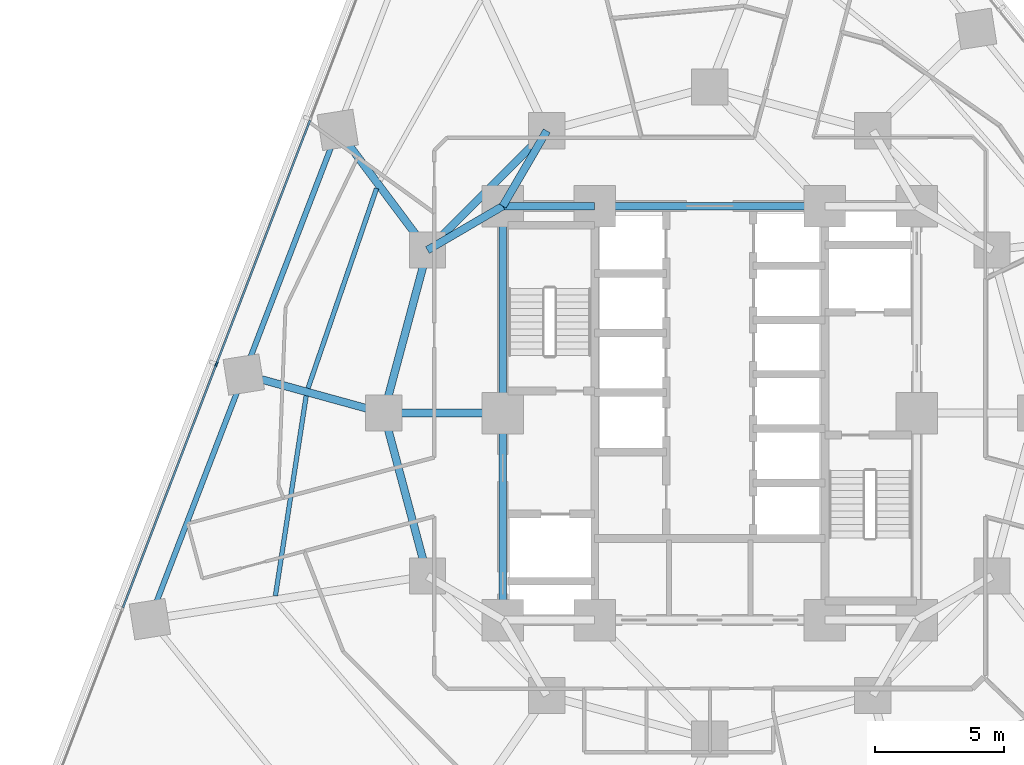
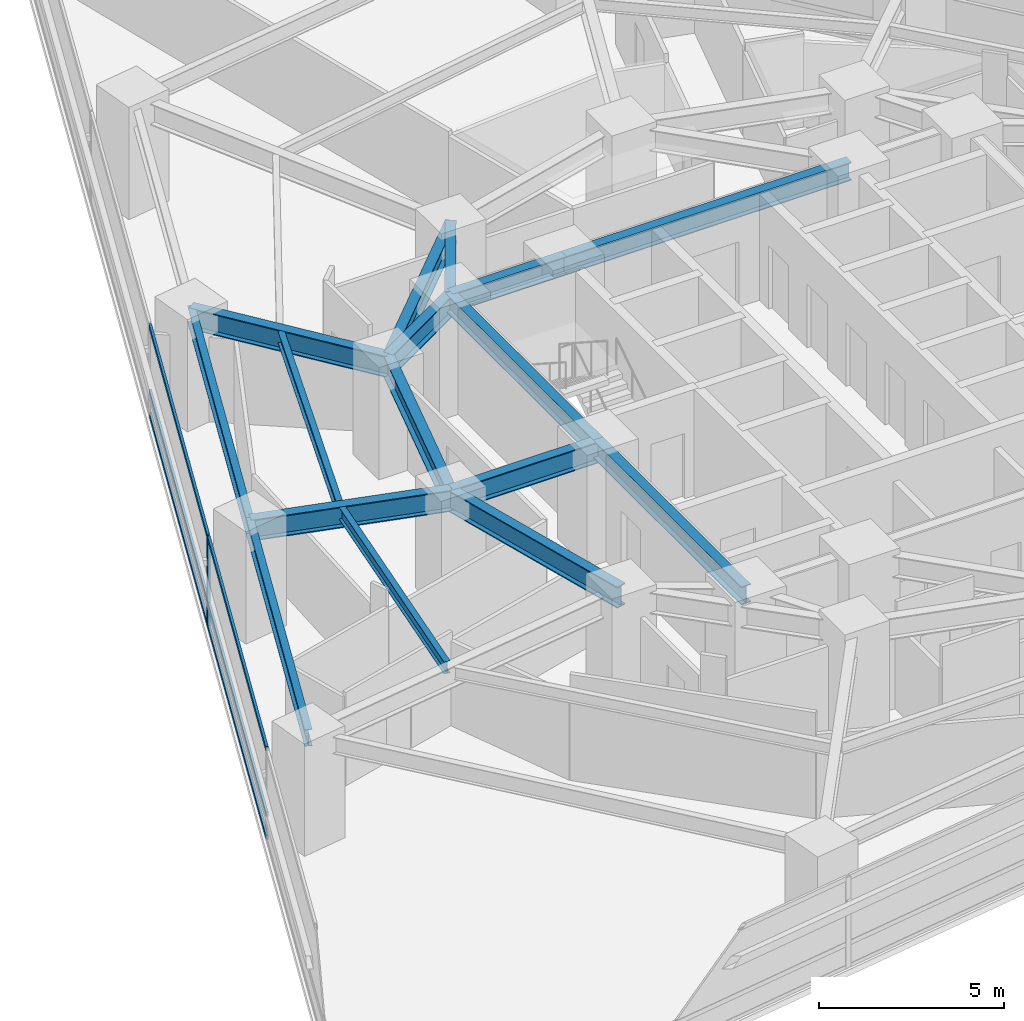
# One storey, part 3 of 14: 16 beams, 7 members, 1 element without a shape of its own.
"""IFC4 building model written with IfcOpenShell, lengths in metres."""

from ifc_helpers import new_model, si_unit, direction, frame, origin, origin_2d, place, context, subcontext, project, spatial, rectangle, i_section, extrude, material, layer, layer_set, material_profile, profile_set, type_object, element, aggregate, save


model = new_model("IFC4")

# Units and contexts
model_context = context("Model", 3, precision=1e-05, world=origin(), true_north=direction((0.0, 1.0)))
body_context = subcontext(model_context, "Body", "Model", "MODEL_VIEW")
ifc_project = project(units=[si_unit("LENGTHUNIT", "METRE"), si_unit("AREAUNIT", "SQUARE_METRE"), si_unit("VOLUMEUNIT", "CUBIC_METRE"), si_unit("PLANEANGLEUNIT", "RADIAN"), si_unit("MASSUNIT", "GRAM", prefix="KILO")], contexts=[model_context])

# Site, building, storey
site_placement = place(None, origin())
site = spatial("IfcSite", under=ifc_project, at=site_placement, CompositionType="ELEMENT")
building_placement = place(site_placement, origin())
building = spatial("IfcBuilding", under=site, at=building_placement, Name="Terralouvre Media Tower", CompositionType="ELEMENT")
storey_placement = place(building_placement, frame((0.0, 0.0, 70.39990234375)))
storey = spatial("IfcBuildingStorey", under=building, at=storey_placement, Name="L17", CompositionType="ELEMENT", Elevation=70.39990234375)

# Beams
ifc_material_1 = material(Name="Structural steel S355J2", Category="steel")
ifc_material_profile_1 = material_profile(ifc_material_1, i_section(OverallWidth=0.179931640625, OverallDepth=0.39990234375, WebThickness=0.008544921875, FlangeThickness=0.013427734375, at=origin_2d()), Name="IPE 400")
ifc_profile_set_1 = profile_set([ifc_material_profile_1], Name="Structural steel S355J2")
beam_type_1 = type_object("IfcBeamType", Name="Composite Floor Joist J-IPE400 (IPE 400)", PredefinedType="JOIST", material=ifc_profile_set_1)
beam_1_placement = place(storey_placement, frame((-12.87841796875, 8.684814453125, 3.300048828125), z_axis=(-0.324414525055, -0.945915015175, 0.0), x_axis=(0.945915015175, -0.324414525055, 0.0)))
element("IfcBeam", 1, at=beam_1_placement, inside=storey, type_object=beam_type_1, Name="L17 Framing Beam JT-L17-11", PredefinedType="JOIST", context=body_context, shape_type="SweptSolid", body=[
    extrude(i_section(OverallWidth=0.179931640625, OverallDepth=0.39990234375, WebThickness=0.008544921875, FlangeThickness=0.013427734375, at=origin_2d()), origin(), (0.0, 0.0, 1.0), 8.165283203125),
])
beam_2_placement = place(storey_placement, frame((-15.598876953125, 0.6708984375, 3.300048828125), z_axis=(-0.152106420826, -0.988364121538, 0.0), x_axis=(0.988364121538, -0.152106420826, 0.0)))
element("IfcBeam", 2, at=beam_2_placement, inside=storey, type_object=beam_type_1, Name="L17 Framing Beam JT-L17-12", PredefinedType="JOIST", context=body_context, shape_type="SweptSolid", body=[
    extrude(i_section(OverallWidth=0.179931640625, OverallDepth=0.39990234375, WebThickness=0.008544921875, FlangeThickness=0.013427734375, at=origin_2d()), origin(), (0.0, 0.0, 1.0), 7.82470703125),
])

# Curtain wall, members
ifc_material_2 = material(Name="Low-iron laminated double glazing with solar-control coating", Category="glass")
ifc_layer = layer(ifc_material_2, 0.1650390625, Name="Lower Media Tower Unitised Curtain Wall CW-02")
ifc_layer_set = layer_set([ifc_layer], Name="Low-iron laminated double glazing with solar-control coating")
curtain_wall_type = type_object("IfcCurtainWallType", Name="Lower Media Tower Unitised Curtain Wall CW-02", PredefinedType="NOTDEFINED", material=ifc_layer_set)
curtain_wall_placement = place(storey_placement, origin())
curtain_wall = element("IfcCurtainWall", 3, at=curtain_wall_placement, inside=storey, type_object=curtain_wall_type, Name="L17 Facade Curtain Wall F2", PredefinedType="NOTDEFINED")
ifc_material_3 = material(Name="Anodised extruded aluminium 6063-T6", Category="aluminium")
ifc_material_profile_2 = material_profile(ifc_material_3, rectangle(XDim=0.074951171875, YDim=0.14990234375, at=origin_2d()), Name="ALU 75x150")
ifc_profile_set_2 = profile_set([ifc_material_profile_2], Name="Anodised extruded aluminium 6063-T6")
member_type_1 = type_object("IfcMemberType", Name="Curtain-Wall Horizontal Transom TR-150", PredefinedType="USERDEFINED", material=ifc_profile_set_2)
member_1_placement = place(storey_placement, frame((-15.449951171875, 11.314697265625, 0.03759765625), z_axis=(-0.358357340084, -0.933584499019, 0.0), x_axis=(0.933584499019, -0.358357340084, 0.0)))
member_1 = element("IfcMember", 4, at=member_1_placement, type_object=member_type_1, Name="CW-02 transom 3.1", ObjectType="TRANSOM", PredefinedType="USERDEFINED", context=body_context, shape_type="SweptSolid", body=[
    extrude(rectangle(XDim=0.074951171875, YDim=0.14990234375, at=origin_2d()), origin(), (0.0, 0.0, 1.0), 10.052978515625),
])
member_2_placement = place(storey_placement, frame((-15.449951171875, 11.314697265625, 0.800048828125), z_axis=(-0.358357340084, -0.933584499019, 0.0), x_axis=(0.933584499019, -0.358357340084, 0.0)))
member_2 = element("IfcMember", 5, at=member_2_placement, type_object=member_type_1, Name="CW-02 transom 3.2", ObjectType="TRANSOM", PredefinedType="USERDEFINED", context=body_context, shape_type="SweptSolid", body=[
    extrude(rectangle(XDim=0.074951171875, YDim=0.14990234375, at=origin_2d()), origin(), (0.0, 0.0, 1.0), 10.052978515625),
])
member_3_placement = place(storey_placement, frame((-15.449951171875, 11.314697265625, 2.962646484375), z_axis=(-0.358357340084, -0.933584499019, 0.0), x_axis=(0.933584499019, -0.358357340084, 0.0)))
member_3 = element("IfcMember", 6, at=member_3_placement, type_object=member_type_1, Name="CW-02 transom 3.3", ObjectType="TRANSOM", PredefinedType="USERDEFINED", context=body_context, shape_type="SweptSolid", body=[
    extrude(rectangle(XDim=0.074951171875, YDim=0.14990234375, at=origin_2d()), origin(), (0.0, 0.0, 1.0), 10.052978515625),
])
member_4_placement = place(storey_placement, frame((-19.079345703125, 1.859375, 0.03759765625), z_axis=(-0.358378506594, -0.933576373957, 0.0), x_axis=(0.933576373957, -0.358378506594, 0.0)))
member_4 = element("IfcMember", 7, at=member_4_placement, type_object=member_type_1, Name="CW-02 transom 4.1", ObjectType="TRANSOM", PredefinedType="USERDEFINED", context=body_context, shape_type="SweptSolid", body=[
    extrude(rectangle(XDim=0.074951171875, YDim=0.14990234375, at=origin_2d()), origin(), (0.0, 0.0, 1.0), 10.052978515625),
])
member_5_placement = place(storey_placement, frame((-19.079345703125, 1.859375, 0.800048828125), z_axis=(-0.358378506594, -0.933576373957, 0.0), x_axis=(0.933576373957, -0.358378506594, 0.0)))
member_5 = element("IfcMember", 8, at=member_5_placement, type_object=member_type_1, Name="CW-02 transom 4.2", ObjectType="TRANSOM", PredefinedType="USERDEFINED", context=body_context, shape_type="SweptSolid", body=[
    extrude(rectangle(XDim=0.074951171875, YDim=0.14990234375, at=origin_2d()), origin(), (0.0, 0.0, 1.0), 10.052978515625),
])
member_6_placement = place(storey_placement, frame((-19.079345703125, 1.859375, 2.962646484375), z_axis=(-0.358378506594, -0.933576373957, 0.0), x_axis=(0.933576373957, -0.358378506594, 0.0)))
member_6 = element("IfcMember", 9, at=member_6_placement, type_object=member_type_1, Name="CW-02 transom 4.3", ObjectType="TRANSOM", PredefinedType="USERDEFINED", context=body_context, shape_type="SweptSolid", body=[
    extrude(rectangle(XDim=0.074951171875, YDim=0.14990234375, at=origin_2d()), origin(), (0.0, 0.0, 1.0), 10.052978515625),
])
ifc_material_4 = material(Name="Anodised extruded aluminium 6063-T6", Category="aluminium")
ifc_material_profile_3 = material_profile(ifc_material_4, rectangle(XDim=0.074951171875, YDim=0.179931640625, at=origin_2d()), Name="ALU 75x180")
ifc_profile_set_3 = profile_set([ifc_material_profile_3], Name="Anodised extruded aluminium 6063-T6")
member_type_2 = type_object("IfcMemberType", Name="Curtain-Wall Vertical Mullion ML-180", PredefinedType="MULLION", material=ifc_profile_set_3)
member_7_placement = place(storey_placement, frame((-19.06591796875, 1.89453125, 0.0), z_axis=(0.0, 0.0, 1.0), x_axis=(0.933580438988, -0.358367917006, 0.0)))
member_7 = element("IfcMember", 10, at=member_7_placement, type_object=member_type_2, Name="CW-02 mullion 4", PredefinedType="MULLION", context=body_context, shape_type="SweptSolid", body=[
    extrude(rectangle(XDim=0.074951171875, YDim=0.179931640625, at=origin_2d()), origin(), (0.0, 0.0, 1.0), 3.0),
])
aggregate(curtain_wall, [member_7, member_1, member_2, member_3, member_4, member_5, member_6])

# Beams
ifc_material_5 = material(Name="Structural steel S355J2", Category="steel")
ifc_material_profile_4 = material_profile(ifc_material_5, i_section(OverallWidth=0.2099609375, OverallDepth=0.550048828125, WebThickness=0.010986328125, FlangeThickness=0.01708984375, at=origin_2d()), Name="IPE 550")
ifc_profile_set_4 = profile_set([ifc_material_profile_4], Name="Structural steel S355J2")
beam_type_2 = type_object("IfcBeamType", Name="Perimeter Spandrel Beam SPB-550 (IPE 550)", PredefinedType="SPANDREL", material=ifc_profile_set_4)
for number, where, z_axis, x_axis, name in (
    (11, (-14.38134765625, 10.94482421875, 3.22509765625), (-0.358374878229, -0.933577766795, 0.0), (0.933577766795, -0.358374878229, 0.0), "L17 Framing Beam BM-L17-PR11"),
    (12, (-18.010986328125, 1.489501953125, 3.22509765625), (-0.358374878229, -0.933577766795, 0.0), (0.933577766795, -0.358374878229, 0.0), "L17 Framing Beam BM-L17-PR12"),
):
    element("IfcBeam", number, at=place(storey_placement, frame(where, z_axis=z_axis, x_axis=x_axis)), inside=storey, type_object=beam_type_2, Name=name, PredefinedType="SPANDREL", context=body_context, shape_type="SweptSolid", body=[
        extrude(i_section(OverallWidth=0.2099609375, OverallDepth=0.550048828125, WebThickness=0.010986328125, FlangeThickness=0.01708984375, at=origin_2d()), origin(), (0.0, 0.0, 1.0), 10.1279296875),
    ])
ifc_material_6 = material(Name="Structural steel S460M", Category="steel")
ifc_material_profile_5 = material_profile(ifc_material_6, i_section(OverallWidth=0.300048828125, OverallDepth=0.60009765625, WebThickness=0.015380859375, FlangeThickness=0.030029296875, at=origin_2d()), Name="HEB 600")
ifc_profile_set_5 = profile_set([ifc_material_profile_5], Name="Structural steel S460M")
beam_type_3 = type_object("IfcBeamType", Name="Primary Floor Girder B-HEB600 (HEB 600)", PredefinedType="BEAM", material=ifc_profile_set_5)
beam_3_placement = place(storey_placement, frame((4.449951171875, 8.0, 3.2001953125), z_axis=(-1.0, 0.0, 0.0), x_axis=(0.0, -1.0, 0.0)))
element("IfcBeam", 13, at=beam_3_placement, inside=storey, type_object=beam_type_3, Name="L17 Framing Beam BM-L17-CPR07", PredefinedType="BEAM", context=body_context, shape_type="SweptSolid", body=[
    extrude(i_section(OverallWidth=0.300048828125, OverallDepth=0.60009765625, WebThickness=0.015380859375, FlangeThickness=0.030029296875, at=origin_2d()), origin(), (0.0, 0.0, 1.0), 8.89990234375),
])
beam_4_placement = place(storey_placement, frame((-4.449951171875, 8.0, 3.2001953125), z_axis=(-1.0, 0.0, 0.0), x_axis=(0.0, -1.0, 0.0)))
element("IfcBeam", 14, at=beam_4_placement, inside=storey, type_object=beam_type_3, Name="L17 Framing Beam BM-L17-CPR08", PredefinedType="BEAM", context=body_context, shape_type="SweptSolid", body=[
    extrude(i_section(OverallWidth=0.300048828125, OverallDepth=0.60009765625, WebThickness=0.015380859375, FlangeThickness=0.030029296875, at=origin_2d()), origin(), (0.0, 0.0, 1.0), 3.550048828125),
])
for number, where, z_axis, x_axis, name in (
    (15, (-8.0, 8.0, 3.2001953125), (0.0, -1.0, 0.0), (1.0, 0.0, 0.0), "L17 Framing Beam BM-L17-CPR09"),
    (16, (-8.0, 0.0, 3.2001953125), (0.0, -1.0, 0.0), (1.0, 0.0, 0.0), "L17 Framing Beam BM-L17-CPR10"),
):
    element("IfcBeam", number, at=place(storey_placement, frame(where, z_axis=z_axis, x_axis=x_axis)), inside=storey, type_object=beam_type_3, Name=name, PredefinedType="BEAM", context=body_context, shape_type="SweptSolid", body=[
        extrude(i_section(OverallWidth=0.300048828125, OverallDepth=0.60009765625, WebThickness=0.015380859375, FlangeThickness=0.030029296875, at=origin_2d()), origin(), (0.0, 0.0, 1.0), 8.0),
    ])
ifc_material_7 = material(Name="Structural steel S460M", Category="steel")
ifc_material_profile_6 = material_profile(ifc_material_7, i_section(OverallWidth=0.300048828125, OverallDepth=0.699951171875, WebThickness=0.01708984375, FlangeThickness=0.031982421875, at=origin_2d()), Name="HEB 700")
ifc_profile_set_6 = profile_set([ifc_material_profile_6], Name="Structural steel S460M")
beam_type_4 = type_object("IfcBeamType", Name="Primary Floor Girder B-HEB700 (HEB 700)", PredefinedType="BEAM", material=ifc_profile_set_6)
beam_5_placement = place(storey_placement, frame((-6.300048828125, 10.911865234375, 3.150146484375), z_axis=(-0.707106781187, -0.707106781187, 0.0), x_axis=(0.707106781187, -0.707106781187, 0.0)))
element("IfcBeam", 17, at=beam_5_placement, inside=storey, type_object=beam_type_4, Name="L17 Framing Beam BM-L17-MR10", PredefinedType="BEAM", context=body_context, shape_type="SweptSolid", body=[
    extrude(i_section(OverallWidth=0.300048828125, OverallDepth=0.699951171875, WebThickness=0.01708984375, FlangeThickness=0.031982421875, at=origin_2d()), origin(), (0.0, 0.0, 1.0), 6.52197265625),
])
for number, where, z_axis, x_axis, name in (
    (18, (-10.911865234375, 6.300048828125, 3.150146484375), (-0.258838989821, -0.965920481897, 0.0), (0.965920481897, -0.258838989821, 0.0), "L17 Framing Beam BM-L17-MR11"),
    (19, (-12.60009765625, 0.0, 3.150146484375), (0.258838989821, -0.965920481897, 0.0), (0.965920481897, 0.258838989821, 0.0), "L17 Framing Beam BM-L17-MR12"),
):
    element("IfcBeam", number, at=place(storey_placement, frame(where, z_axis=z_axis, x_axis=x_axis)), inside=storey, type_object=beam_type_4, Name=name, PredefinedType="BEAM", context=body_context, shape_type="SweptSolid", body=[
        extrude(i_section(OverallWidth=0.300048828125, OverallDepth=0.699951171875, WebThickness=0.01708984375, FlangeThickness=0.031982421875, at=origin_2d()), origin(), (0.0, 0.0, 1.0), 6.522216796875),
    ])
for number, where, z_axis, x_axis, name in (
    (20, (-8.0, 8.0, 3.150146484375), (0.504172629717, 0.863602894532, 0.0), (-0.863602894532, 0.504172629717, 0.0), "L17 Framing Beam BM-L17-CM10"),
    (21, (-8.0, 8.0, 3.150146484375), (-0.863602894532, -0.504172629717, 0.0), (0.504172629717, -0.863602894532, 0.0), "L17 Framing Beam BM-L17-CM11"),
):
    element("IfcBeam", number, at=place(storey_placement, frame(where, z_axis=z_axis, x_axis=x_axis)), inside=storey, type_object=beam_type_4, Name=name, PredefinedType="BEAM", context=body_context, shape_type="SweptSolid", body=[
        extrude(i_section(OverallWidth=0.300048828125, OverallDepth=0.699951171875, WebThickness=0.01708984375, FlangeThickness=0.031982421875, at=origin_2d()), origin(), (0.0, 0.0, 1.0), 3.371826171875),
    ])
beam_6_placement = place(storey_placement, frame((-8.0, 0.0, 3.150146484375), z_axis=(-1.0, 0.0, 0.0), x_axis=(0.0, -1.0, 0.0)))
element("IfcBeam", 22, at=beam_6_placement, inside=storey, type_object=beam_type_4, Name="L17 Framing Beam BM-L17-CM12", PredefinedType="BEAM", context=body_context, shape_type="SweptSolid", body=[
    extrude(i_section(OverallWidth=0.300048828125, OverallDepth=0.699951171875, WebThickness=0.01708984375, FlangeThickness=0.031982421875, at=origin_2d()), origin(), (0.0, 0.0, 1.0), 4.60009765625),
])
beam_7_placement = place(storey_placement, frame((-10.911865234375, 6.300048828125, 3.150146484375), z_axis=(-0.598442434067, 0.801165808749, 0.0), x_axis=(-0.801165808749, -0.598442434067, 0.0)))
element("IfcBeam", 23, at=beam_7_placement, inside=storey, type_object=beam_type_4, Name="L17 Framing Beam BM-L17-RD11", PredefinedType="BEAM", context=body_context, shape_type="SweptSolid", body=[
    extrude(i_section(OverallWidth=0.300048828125, OverallDepth=0.699951171875, WebThickness=0.01708984375, FlangeThickness=0.031982421875, at=origin_2d()), origin(), (0.0, 0.0, 1.0), 5.797607421875),
])
beam_8_placement = place(storey_placement, frame((-12.60009765625, 0.0, 3.150146484375), z_axis=(-0.964136682273, 0.265406212992, 0.0), x_axis=(-0.265406212992, -0.964136682273, 0.0)))
element("IfcBeam", 24, at=beam_8_placement, inside=storey, type_object=beam_type_4, Name="L17 Framing Beam BM-L17-RD12", PredefinedType="BEAM", context=body_context, shape_type="SweptSolid", body=[
    extrude(i_section(OverallWidth=0.300048828125, OverallDepth=0.699951171875, WebThickness=0.01708984375, FlangeThickness=0.031982421875, at=origin_2d()), origin(), (0.0, 0.0, 1.0), 5.612060546875),
])

save(model, "model.ifc")
